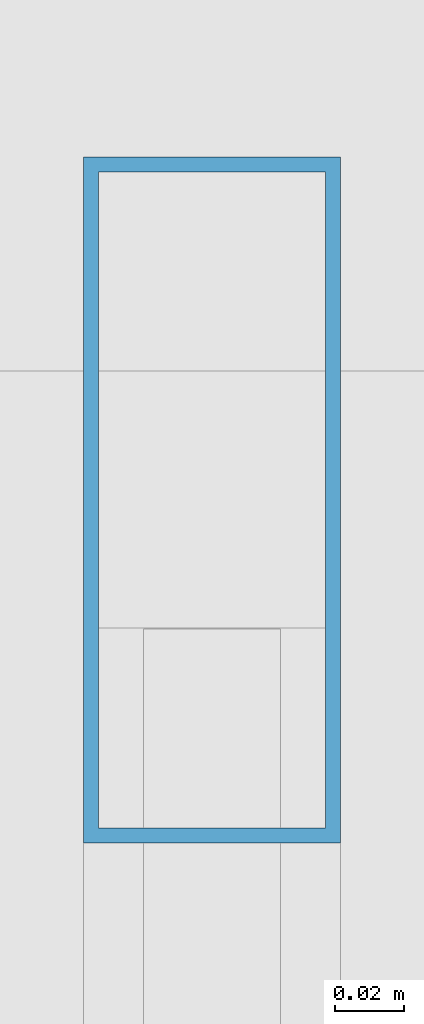
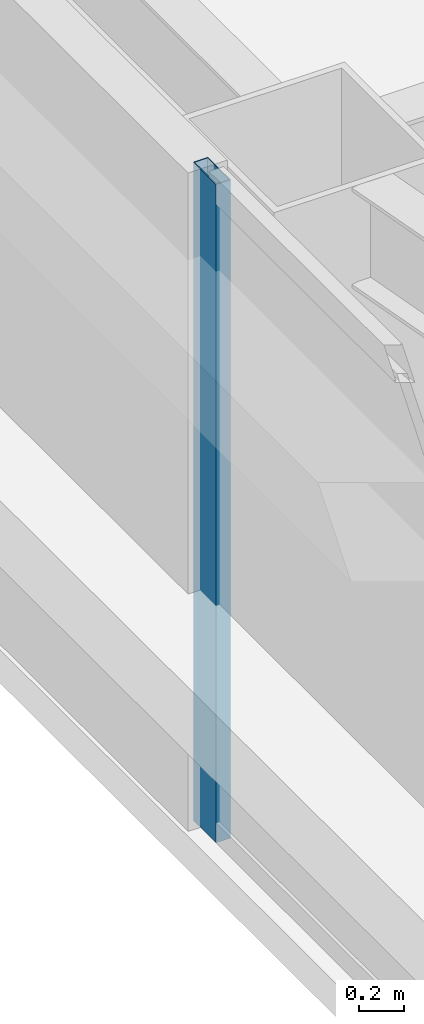
# One storey, part 7 of 50: 1 member, 1 element without a shape of its own.
"""IFC4 building model written with IfcOpenShell, lengths in metres."""

from ifc_helpers import new_model, si_unit, direction, frame, origin, origin_2d, place, context, subcontext, project, spatial, hollow_rectangle, extrude, material, material_profile, profile_set, type_object, element, aggregate, save


model = new_model("IFC4")

# Units and contexts
model_context = context("Model", 3, precision=1e-05, world=origin(), true_north=direction((0.0, 1.0)))
body_context = subcontext(model_context, "Body", "Model", "MODEL_VIEW")
ifc_project = project(units=[si_unit("LENGTHUNIT", "METRE"), si_unit("AREAUNIT", "SQUARE_METRE"), si_unit("VOLUMEUNIT", "CUBIC_METRE"), si_unit("PLANEANGLEUNIT", "RADIAN"), si_unit("MASSUNIT", "GRAM", prefix="KILO")], contexts=[model_context])

# Site, building, storey
site_placement = place(None, origin())
site = spatial("IfcSite", under=ifc_project, at=site_placement, CompositionType="ELEMENT")
building_placement = place(site_placement, origin())
building = spatial("IfcBuilding", under=site, at=building_placement, Name="Tashvorn Skyway Center", CompositionType="ELEMENT")
storey_placement = place(building_placement, frame((0.0, 0.0, 114.39990234375)))
storey = spatial("IfcBuildingStorey", under=building, at=storey_placement, Name="L30", CompositionType="ELEMENT", Elevation=114.39990234375)

# Curtain wall, member
ifc_material = material(Name="Thermally broken bronze-anodized aluminium 6063-T6", Category="aluminium")
curtain_wall_type = type_object("IfcCurtainWallType", Name="CW-CW-Z3", PredefinedType="NOTDEFINED", material=ifc_material)
curtain_wall_placement = place(storey_placement, origin())
curtain_wall = element("IfcCurtainWall", 1, at=curtain_wall_placement, inside=storey, type_object=curtain_wall_type, Name="Tower 1 L30 West Unitised Curtain Wall Glazing Group 1", PredefinedType="NOTDEFINED")
ifc_material_profile = material_profile(ifc_material, hollow_rectangle(XDim=0.074951171875, YDim=0.199951171875, WallThickness=0.00439453125, at=origin_2d()), Name="ALU-MULL-75x200")
ifc_profile_set = profile_set([ifc_material_profile], Name="Thermally broken bronze-anodized aluminium 6063-T6")
member_type = type_object("IfcMemberType", Name="CWM-CW-Z3", PredefinedType="MULLION", material=ifc_profile_set)
member_placement = place(storey_placement, frame((22.719970703125, 26.369140625, 0.0), z_axis=(0.0, 0.0, 1.0), x_axis=(-1.0, 0.0, 0.0)))
member = element("IfcMember", 2, at=member_placement, type_object=member_type, Name="CW-Z3 mullion 2", PredefinedType="MULLION", context=body_context, shape_type="SweptSolid", body=[
    extrude(hollow_rectangle(XDim=0.074951171875, YDim=0.199951171875, WallThickness=0.00439453125, at=origin_2d()), origin(), (0.0, 0.0, 1.0), 3.550048828125),
])
aggregate(curtain_wall, [member])

save(model, "model.ifc")
